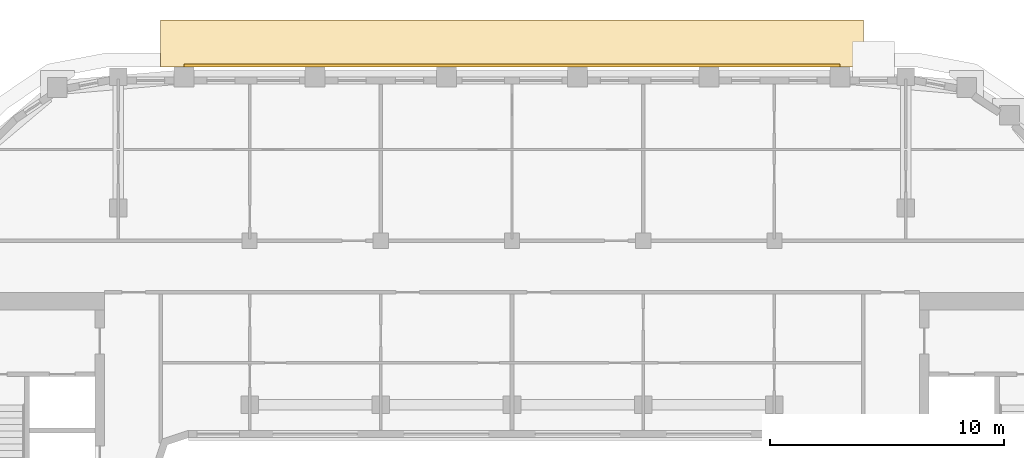
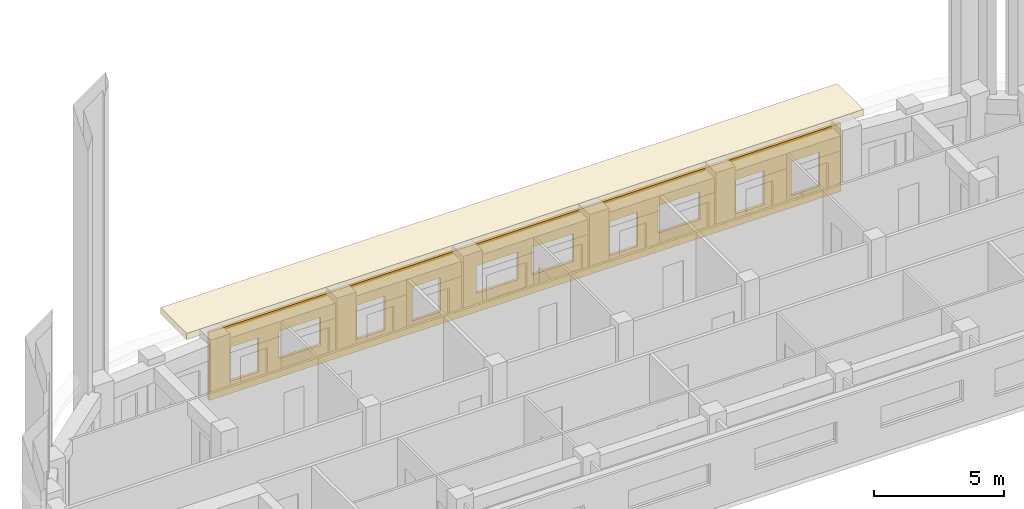
# One storey, part 20 of 21: 2 coverings.
"""IFC4 building model written with IfcOpenShell, lengths in metres."""

from ifc_helpers import new_model, si_unit, direction, frame, origin, place, context, subcontext, project, spatial, polyline, outline, extrude, material, layer, layer_set, type_object, element, save


model = new_model("IFC4")

# Units and contexts
model_context = context("Model", 3, precision=1e-05, world=origin(), true_north=direction((0.0, 1.0)))
body_context = subcontext(model_context, "Body", "Model", "MODEL_VIEW")
ifc_project = project(units=[si_unit("LENGTHUNIT", "METRE"), si_unit("AREAUNIT", "SQUARE_METRE"), si_unit("VOLUMEUNIT", "CUBIC_METRE"), si_unit("PLANEANGLEUNIT", "RADIAN"), si_unit("MASSUNIT", "GRAM", prefix="KILO")], contexts=[model_context])

# Site, building, storey
site_placement = place(None, origin())
site = spatial("IfcSite", under=ifc_project, at=site_placement, CompositionType="ELEMENT")
building_placement = place(site_placement, origin())
building = spatial("IfcBuilding", under=site, at=building_placement, Name="Kiln Ring Residences", CompositionType="ELEMENT")
storey_placement = place(building_placement, frame((0.0, 0.0, 213.39990234375)))
storey = spatial("IfcBuildingStorey", under=building, at=storey_placement, Name="L55", CompositionType="ELEMENT", Elevation=213.39990234375)

# Coverings
ifc_material_1 = material(Name="Brick masonry, dark clay brick", Category="masonry")
ifc_layer_1 = layer(ifc_material_1, 0.1201171875)
ifc_layer_set_1 = layer_set([ifc_layer_1], Name="RAINSCREEN PANEL 120")
covering_type_1 = type_object("IfcCoveringType", Name="RAINSCREEN PANEL 120", PredefinedType="CLADDING", material=ifc_layer_set_1)
covering_1_placement = place(storey_placement, frame((14.0, 22.885009765625, 0.0), z_axis=(0.0, 0.0, 1.0), x_axis=(-1.0, 0.0, 0.0)))
element("IfcCovering", 1, at=covering_1_placement, inside=storey, type_object=covering_type_1, Name="RAINSCREEN L55", PredefinedType="CLADDING", context=body_context, shape_type="SweptSolid", body=[
    extrude(outline(polyline([(0.0, 0.0), (28.0, 0.0), (28.0, 3.2001953125), (0.0, 3.2001953125), (0.0, 0.0)]), holes=[polyline([(0.955078125, 0.580078125), (2.195068359375, 0.580078125), (2.195068359375, 2.170166015625), (0.955078125, 2.170166015625), (0.955078125, 0.580078125)]), polyline([(3.405029296875, 0.580078125), (4.64501953125, 0.580078125), (4.64501953125, 2.170166015625), (3.405029296875, 2.170166015625), (3.405029296875, 0.580078125)]), polyline([(9.0048828125, 0.580078125), (10.2451171875, 0.580078125), (10.2451171875, 2.170166015625), (9.0048828125, 2.170166015625), (9.0048828125, 0.580078125)]), polyline([(17.7548828125, 2.170166015625), (17.7548828125, 0.580078125), (18.9951171875, 0.580078125), (18.9951171875, 2.170166015625), (17.7548828125, 2.170166015625)]), polyline([(20.205078125, 2.170166015625), (20.205078125, 0.580078125), (21.445068359375, 0.580078125), (21.445068359375, 2.170166015625), (20.205078125, 2.170166015625)]), polyline([(25.804931640625, 0.580078125), (27.044921875, 0.580078125), (27.044921875, 2.170166015625), (25.804931640625, 2.170166015625), (25.804931640625, 0.580078125)]), polyline([(6.2548828125, 0.880126953125), (8.094970703125, 0.880126953125), (8.094970703125, 2.170166015625), (6.2548828125, 2.170166015625), (6.2548828125, 0.880126953125)]), polyline([(11.85498046875, 0.880126953125), (13.695068359375, 0.880126953125), (13.695068359375, 2.170166015625), (11.85498046875, 2.170166015625), (11.85498046875, 0.880126953125)]), polyline([(14.304931640625, 2.170166015625), (14.304931640625, 0.880126953125), (16.14501953125, 0.880126953125), (16.14501953125, 2.170166015625), (14.304931640625, 2.170166015625)]), polyline([(23.054931640625, 2.170166015625), (23.054931640625, 0.880126953125), (24.89501953125, 0.880126953125), (24.89501953125, 2.170166015625), (23.054931640625, 2.170166015625)])]), frame((0.0, 0.06005859375, 0.0), z_axis=(0.0, -1.0, 0.0), x_axis=(1.0, 0.0, 0.0)), (0.0, 0.0, 1.0), 0.1201171875),
])
ifc_material_2 = material(Name="Black powder-coated steel", Category="steel")
ifc_layer_2 = layer(ifc_material_2, 0.300048828125)
ifc_layer_set_2 = layer_set([ifc_layer_2], Name="SUNSHADE BAND 2000")
covering_type_2 = type_object("IfcCoveringType", Name="SUNSHADE BAND 2000", PredefinedType="CLADDING", material=ifc_layer_set_2)
covering_2_placement = place(storey_placement, frame((0.0, 0.0, 3.2001953125)))
element("IfcCovering", 2, at=covering_2_placement, inside=storey, type_object=covering_type_2, Name="SUNSHADE BAND L55", PredefinedType="CLADDING", context=body_context, shape_type="SweptSolid", body=[
    extrude(outline(polyline([(15.0, 24.824951171875), (-15.0, 24.824951171875), (-15.0, 22.824951171875), (15.0, 22.824951171875), (15.0, 24.824951171875)])), origin(), (0.0, 0.0, 1.0), 0.2998046875),
])

save(model, "model.ifc")
